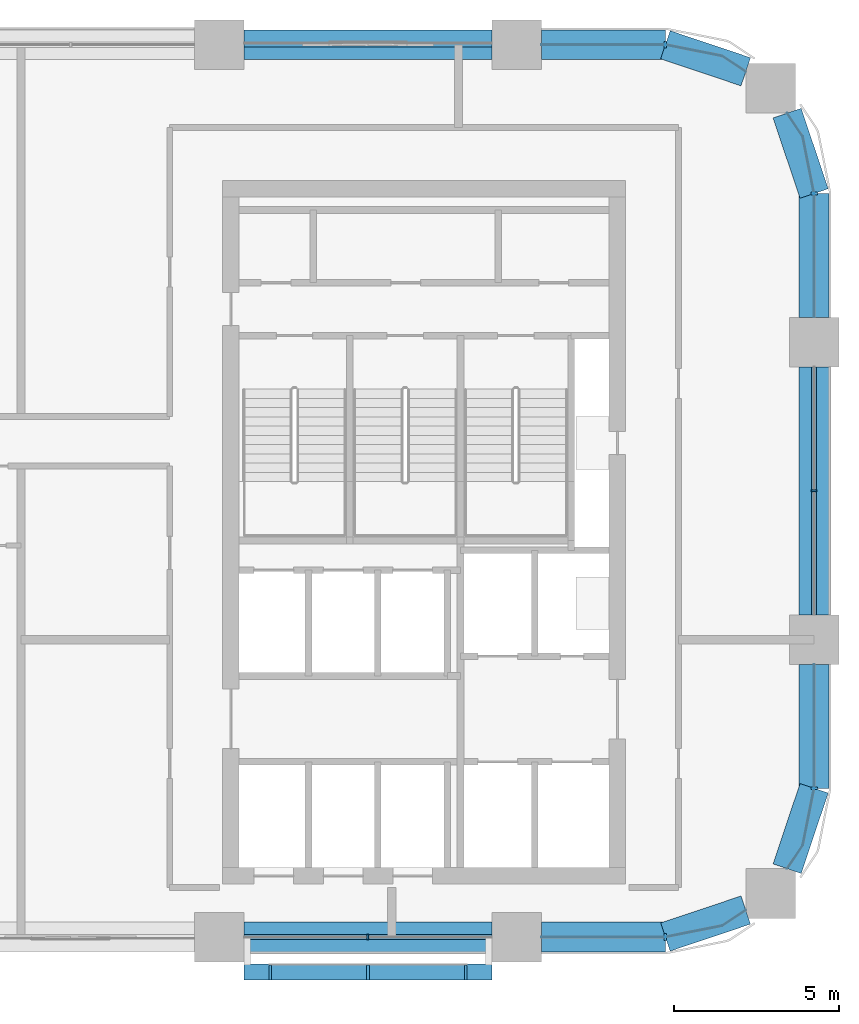
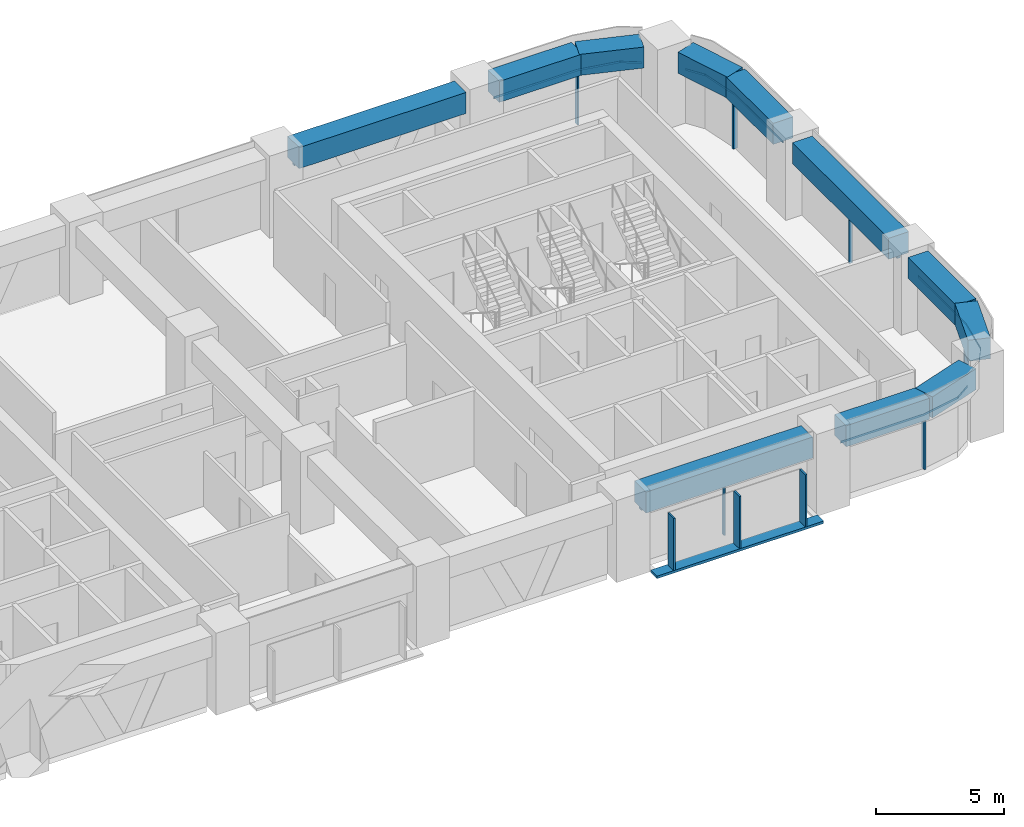
# One storey, part 5 of 13: 16 members, 12 beams, 7 elements without a shape of their own.
"""IFC4 building model written with IfcOpenShell, lengths in metres."""

from ifc_helpers import new_model, si_unit, direction, frame, origin, origin_2d, place, context, subcontext, project, spatial, polyline, rectangle, outline, extrude, material, material_profile, profile_set, type_object, element, aggregate, save


model = new_model("IFC4")

# Units and contexts
model_context = context("Model", 3, precision=1e-05, world=origin(), true_north=direction((0.0, 1.0)))
body_context = subcontext(model_context, "Body", "Model", "MODEL_VIEW")
ifc_project = project(units=[si_unit("LENGTHUNIT", "METRE"), si_unit("AREAUNIT", "SQUARE_METRE"), si_unit("VOLUMEUNIT", "CUBIC_METRE"), si_unit("PLANEANGLEUNIT", "RADIAN"), si_unit("MASSUNIT", "GRAM", prefix="KILO")], contexts=[model_context])

# Site, building, storey
site_placement = place(None, origin())
site = spatial("IfcSite", under=ifc_project, at=site_placement, CompositionType="ELEMENT")
building_placement = place(site_placement, origin())
building = spatial("IfcBuilding", under=site, at=building_placement, Name="Tessera Arch", CompositionType="ELEMENT")
storey_placement = place(building_placement, frame((0.0, 0.0, 158.300048828125)))
storey = spatial("IfcBuildingStorey", under=building, at=storey_placement, Name="L37", CompositionType="ELEMENT", Elevation=158.300048828125)

# Curtain wall, member
ifc_material_1 = material(Name="CW1 curtain wall")
curtain_wall_type_1 = type_object("IfcCurtainWallType", Name="CW1 curtain wall", PredefinedType="NOTDEFINED", material=ifc_material_1)
curtain_wall_1_placement = place(storey_placement, origin())
curtain_wall_1 = element("IfcCurtainWall", 1, at=curtain_wall_1_placement, inside=storey, type_object=curtain_wall_type_1, Name="CW1 curtain wall E54.27/0 L37", PredefinedType="NOTDEFINED")
ifc_material_2 = material(Name="Anodised aluminium pale metal", Category="aluminium")
ifc_material_profile_1 = material_profile(ifc_material_2, rectangle(XDim=0.159912109375, YDim=0.06005859375, at=origin_2d()), Name="AL 60x160")
ifc_profile_set_1 = profile_set([ifc_material_profile_1], Name="Anodised aluminium pale metal")
member_type_1 = type_object("IfcMemberType", Name="CW1 mullion", PredefinedType="MULLION", material=ifc_profile_set_1)
member_1_placement = place(storey_placement, frame((54.0, 40.5, 0.0), z_axis=(0.0, 0.0, 1.0), x_axis=(-1.0, 0.0, 0.0)))
member_1 = element("IfcMember", 2, at=member_1_placement, type_object=member_type_1, Name="CW1 mullion E54.27/0 1", PredefinedType="MULLION", context=body_context, shape_type="SweptSolid", body=[
    extrude(rectangle(XDim=0.159912109375, YDim=0.06005859375, at=origin_2d()), origin(), (0.0, 0.0, 1.0), 2.5),
])

curtain_wall_2_placement = place(storey_placement, origin())
curtain_wall_2 = element("IfcCurtainWall", 3, at=curtain_wall_2_placement, inside=storey, type_object=curtain_wall_type_1, Name="CW1 curtain wall S27.0/4 L37", PredefinedType="NOTDEFINED")
member_2_placement = place(storey_placement, frame((40.5, 27.0, 0.0), z_axis=(0.0, 0.0, 1.0), x_axis=(0.0, 1.0, 0.0)))
member_2 = element("IfcMember", 4, at=member_2_placement, type_object=member_type_1, Name="CW1 mullion S27.0/4 1", PredefinedType="MULLION", context=body_context, shape_type="SweptSolid", body=[
    extrude(rectangle(XDim=0.159912109375, YDim=0.06005859375, at=origin_2d()), origin(), (0.0, 0.0, 1.0), 2.5),
])

# Member
ifc_material_3 = material(Name="Anodised aluminium pale metal", Category="aluminium")
ifc_material_profile_2 = material_profile(ifc_material_3, rectangle(XDim=0.159912109375, YDim=0.10009765625, at=origin_2d()), Name="AL 160x100")
ifc_profile_set_2 = profile_set([ifc_material_profile_2], Name="Anodised aluminium pale metal")
member_type_2 = type_object("IfcMemberType", Name="CW1 transom", PredefinedType="USERDEFINED", material=ifc_profile_set_2)
member_3_placement = place(storey_placement, frame((54.0, 36.75, 2.550048828125), z_axis=(0.0, 1.0, 0.0), x_axis=(-1.0, 0.0, 0.0)))
member_3 = element("IfcMember", 5, at=member_3_placement, type_object=member_type_2, Name="CW1 transom E54.27/0 1.1", ObjectType="TRANSOM", PredefinedType="USERDEFINED", context=body_context, shape_type="SweptSolid", body=[
    extrude(rectangle(XDim=0.159912109375, YDim=0.10009765625, at=origin_2d()), origin(), (0.0, 0.0, 1.0), 7.5),
])

aggregate(curtain_wall_1, [member_1, member_3])

member_4_placement = place(storey_placement, frame((36.75, 27.0, 2.550048828125), z_axis=(1.0, 0.0, 0.0), x_axis=(0.0, 1.0, 0.0)))
member_4 = element("IfcMember", 6, at=member_4_placement, type_object=member_type_2, Name="CW1 transom S27.0/4 1.1", ObjectType="TRANSOM", PredefinedType="USERDEFINED", context=body_context, shape_type="SweptSolid", body=[
    extrude(rectangle(XDim=0.159912109375, YDim=0.10009765625, at=origin_2d()), origin(), (0.0, 0.0, 1.0), 7.5),
])

aggregate(curtain_wall_2, [member_2, member_4])

# Curtain wall, member
ifc_material_4 = material(Name="CW2 curtain wall")
curtain_wall_type_2 = type_object("IfcCurtainWallType", Name="CW2 curtain wall", PredefinedType="NOTDEFINED", material=ifc_material_4)
curtain_wall_3_placement = place(storey_placement, origin())
curtain_wall_3 = element("IfcCurtainWall", 7, at=curtain_wall_3_placement, inside=storey, type_object=curtain_wall_type_2, Name="CW2 curtain wall E54.27/1 L37", PredefinedType="NOTDEFINED")
ifc_material_5 = material(Name="Anodised aluminium pale metal", Category="aluminium")
ifc_material_profile_3 = material_profile(ifc_material_5, rectangle(XDim=0.199951171875, YDim=0.080078125, at=origin_2d()), Name="AL 80x200")
ifc_profile_set_3 = profile_set([ifc_material_profile_3], Name="Anodised aluminium pale metal")
member_type_3 = type_object("IfcMemberType", Name="CW2 mullion", PredefinedType="MULLION", material=ifc_profile_set_3)
member_5_placement = place(storey_placement, frame((54.0, 49.5, 0.0), z_axis=(0.0, 0.0, 1.0), x_axis=(-1.0, 0.0, 0.0)))
member_5 = element("IfcMember", 8, at=member_5_placement, type_object=member_type_3, Name="CW2 mullion E54.27/1 1", PredefinedType="MULLION", context=body_context, shape_type="SweptSolid", body=[
    extrude(rectangle(XDim=0.199951171875, YDim=0.080078125, at=origin_2d()), origin(), (0.0, 0.0, 1.0), 2.5),
])

curtain_wall_4_placement = place(storey_placement, origin())
curtain_wall_4 = element("IfcCurtainWall", 9, at=curtain_wall_4_placement, inside=storey, type_object=curtain_wall_type_2, Name="CW2 curtain wall N54.0/0 L37", PredefinedType="NOTDEFINED")
member_6_placement = place(storey_placement, frame((49.5, 54.0, 0.0), z_axis=(0.0, 0.0, 1.0), x_axis=(0.0, -1.0, 0.0)))
member_6 = element("IfcMember", 10, at=member_6_placement, type_object=member_type_3, Name="CW2 mullion N54.0/0 1", PredefinedType="MULLION", context=body_context, shape_type="SweptSolid", body=[
    extrude(rectangle(XDim=0.199951171875, YDim=0.080078125, at=origin_2d()), origin(), (0.0, 0.0, 1.0), 2.5),
])

curtain_wall_5_placement = place(storey_placement, origin())
curtain_wall_5 = element("IfcCurtainWall", 11, at=curtain_wall_5_placement, inside=storey, type_object=curtain_wall_type_2, Name="CW2 curtain wall S27.0/5 L37", PredefinedType="NOTDEFINED")
member_7_placement = place(storey_placement, frame((49.5, 27.0, 0.0), z_axis=(0.0, 0.0, 1.0), x_axis=(0.0, 1.0, 0.0)))
member_7 = element("IfcMember", 12, at=member_7_placement, type_object=member_type_3, Name="CW2 mullion S27.0/5 1", PredefinedType="MULLION", context=body_context, shape_type="SweptSolid", body=[
    extrude(rectangle(XDim=0.199951171875, YDim=0.080078125, at=origin_2d()), origin(), (0.0, 0.0, 1.0), 2.5),
])

curtain_wall_6_placement = place(storey_placement, origin())
curtain_wall_6 = element("IfcCurtainWall", 13, at=curtain_wall_6_placement, inside=storey, type_object=curtain_wall_type_2, Name="CW2 curtain wall E54.27/2 L37", PredefinedType="NOTDEFINED")
member_8_placement = place(storey_placement, frame((54.0, 31.5, 0.0), z_axis=(0.0, 0.0, 1.0), x_axis=(-1.0, 0.0, 0.0)))
member_8 = element("IfcMember", 14, at=member_8_placement, type_object=member_type_3, Name="CW2 mullion E54.27/2 1", PredefinedType="MULLION", context=body_context, shape_type="SweptSolid", body=[
    extrude(rectangle(XDim=0.199951171875, YDim=0.080078125, at=origin_2d()), origin(), (0.0, 0.0, 1.0), 2.5),
])

# Member
ifc_material_6 = material(Name="Anodised aluminium pale metal", Category="aluminium")
ifc_material_profile_4 = material_profile(ifc_material_6, rectangle(XDim=0.199951171875, YDim=0.10009765625, at=origin_2d()), Name="AL 200x100")
ifc_profile_set_4 = profile_set([ifc_material_profile_4], Name="Anodised aluminium pale metal")
member_type_4 = type_object("IfcMemberType", Name="CW2 transom", PredefinedType="USERDEFINED", material=ifc_profile_set_4)
member_9_placement = place(storey_placement, frame((0.0, 0.0, 2.5)))
member_9 = element("IfcMember", 15, at=member_9_placement, type_object=member_type_4, Name="CW2 transom E54.27/1 1", ObjectType="TRANSOM", PredefinedType="USERDEFINED", context=body_context, shape_type="SweptSolid", body=[
    extrude(outline(polyline([(53.989990234375, 49.4990234375), (53.989990234375, 45.75), (54.010009765625, 45.75), (54.010009765625, 49.5009765625), (53.6669921875, 51.22607421875), (53.19140625, 51.9375), (53.1748046875, 51.926513671875), (53.648193359375, 51.21826171875), (53.989990234375, 49.4990234375)])), origin(), (0.0, 0.0, 1.0), 0.099853515625),
])

aggregate(curtain_wall_3, [member_5, member_9])

member_10_placement = place(storey_placement, frame((0.0, 0.0, 2.5)))
member_10 = element("IfcMember", 16, at=member_10_placement, type_object=member_type_4, Name="CW2 transom N54.0/0 1", ObjectType="TRANSOM", PredefinedType="USERDEFINED", context=body_context, shape_type="SweptSolid", body=[
    extrude(outline(polyline([(51.21826171875, 53.648193359375), (51.926513671875, 53.1748046875), (51.9375, 53.19140625), (51.22607421875, 53.6669921875), (49.5009765625, 54.010009765625), (45.75, 54.010009765625), (45.75, 53.989990234375), (49.4990234375, 53.989990234375), (51.21826171875, 53.648193359375)])), origin(), (0.0, 0.0, 1.0), 0.099853515625),
])

aggregate(curtain_wall_4, [member_6, member_10])

member_11_placement = place(storey_placement, frame((0.0, 0.0, 2.5)))
member_11 = element("IfcMember", 17, at=member_11_placement, type_object=member_type_4, Name="CW2 transom S27.0/5 1", ObjectType="TRANSOM", PredefinedType="USERDEFINED", context=body_context, shape_type="SweptSolid", body=[
    extrude(outline(polyline([(49.4990234375, 27.010009765625), (45.75, 27.010009765625), (45.75, 26.989990234375), (49.5009765625, 26.989990234375), (51.22607421875, 27.3330078125), (51.9375, 27.80859375), (51.926513671875, 27.8251953125), (51.21826171875, 27.351806640625), (49.4990234375, 27.010009765625)])), origin(), (0.0, 0.0, 1.0), 0.099853515625),
])

aggregate(curtain_wall_5, [member_7, member_11])

member_12_placement = place(storey_placement, frame((0.0, 0.0, 2.5)))
member_12 = element("IfcMember", 18, at=member_12_placement, type_object=member_type_4, Name="CW2 transom E54.27/2 1", ObjectType="TRANSOM", PredefinedType="USERDEFINED", context=body_context, shape_type="SweptSolid", body=[
    extrude(outline(polyline([(53.648193359375, 29.78173828125), (53.1748046875, 29.073486328125), (53.19140625, 29.0625), (53.6669921875, 29.77392578125), (54.010009765625, 31.4990234375), (54.010009765625, 35.25), (53.989990234375, 35.25), (53.989990234375, 31.5009765625), (53.648193359375, 29.78173828125)])), origin(), (0.0, 0.0, 1.0), 0.099853515625),
])

aggregate(curtain_wall_6, [member_8, member_12])

# Curtain wall, member
ifc_material_7 = material(Name="CW3 curtain wall")
curtain_wall_type_3 = type_object("IfcCurtainWallType", Name="CW3 curtain wall", PredefinedType="NOTDEFINED", material=ifc_material_7)
curtain_wall_7_placement = place(storey_placement, origin())
curtain_wall_7 = element("IfcCurtainWall", 19, at=curtain_wall_7_placement, inside=storey, type_object=curtain_wall_type_3, Name="CW3 curtain wall N54.0/1 L37", PredefinedType="NOTDEFINED")
ifc_material_8 = material(Name="Anodised aluminium pale metal", Category="aluminium")
ifc_material_profile_5 = material_profile(ifc_material_8, rectangle(XDim=0.139892578125, YDim=0.10009765625, at=origin_2d()), Name="AL 140x100")
ifc_profile_set_5 = profile_set([ifc_material_profile_5], Name="Anodised aluminium pale metal")
member_type_5 = type_object("IfcMemberType", Name="CW3 transom", PredefinedType="USERDEFINED", material=ifc_profile_set_5)
member_13_placement = place(storey_placement, frame((44.25, 54.0, 2.550048828125), z_axis=(-1.0, 0.0, 0.0), x_axis=(0.0, -1.0, 0.0)))
member_13 = element("IfcMember", 20, at=member_13_placement, type_object=member_type_5, Name="CW3 transom N54.0/1 1.1", ObjectType="TRANSOM", PredefinedType="USERDEFINED", context=body_context, shape_type="SweptSolid", body=[
    extrude(rectangle(XDim=0.139892578125, YDim=0.10009765625, at=origin_2d()), origin(), (0.0, 0.0, 1.0), 7.5),
])
aggregate(curtain_wall_7, [member_13])

# Members
ifc_material_9 = material(Name="Anodised aluminium pale metal", Category="aluminium")
ifc_material_profile_6 = material_profile(ifc_material_9, rectangle(XDim=0.449951171875, YDim=0.080078125, at=origin_2d()), Name="AL 80x450")
ifc_profile_set_6 = profile_set([ifc_material_profile_6], Name="Anodised aluminium pale metal")
member_type_6 = type_object("IfcMemberType", Name="Mashrabiya fin", PredefinedType="USERDEFINED", material=ifc_profile_set_6)
for number, where, z_axis, x_axis, name in (
    (21, (37.5400390625, 25.925048828125, 0.119873046875), (0.0, 0.0, 1.0), (0.0, -1.0, 0.0), "FIN mashrabiya S27.0/4 1"),
    (22, (40.5, 25.925048828125, 0.119873046875), (0.0, 0.0, 1.0), (0.0, -1.0, 0.0), "FIN mashrabiya S27.0/4 2"),
    (23, (43.4599609375, 25.925048828125, 0.119873046875), (0.0, 0.0, 1.0), (0.0, -1.0, 0.0), "FIN mashrabiya S27.0/4 3"),
):
    element("IfcMember", number, at=place(storey_placement, frame(where, z_axis=z_axis, x_axis=x_axis)), inside=storey, type_object=member_type_6, Name=name, ObjectType="FIN", PredefinedType="USERDEFINED", context=body_context, shape_type="SweptSolid", body=[
        extrude(rectangle(XDim=0.449951171875, YDim=0.080078125, at=origin_2d()), origin(), (0.0, 0.0, 1.0), 2.47998046875),
    ])

# Beams
ifc_material_10 = material(Name="Concrete C70/85", Category="concrete")
ifc_material_profile_7 = material_profile(ifc_material_10, rectangle(XDim=0.89990234375, YDim=1.0, at=origin_2d()), Name="RC spandrel beam 900 x 1000 Concrete C70/85")
ifc_profile_set_7 = profile_set([ifc_material_profile_7], Name="Concrete C70/85")
beam_type_1 = type_object("IfcBeamType", Name="RC spandrel beam 900 x 1000 Concrete C70/85", PredefinedType="BEAM", material=ifc_profile_set_7)
beam_1_placement = place(storey_placement, frame((54.0, 36.75, 3.099853515625), z_axis=(0.0, 1.0, 0.0), x_axis=(-1.0, 0.0, 0.0)))
element("IfcBeam", 24, at=beam_1_placement, inside=storey, type_object=beam_type_1, Name="Spandrel beam L37 E54.27/0", PredefinedType="BEAM", context=body_context, shape_type="SweptSolid", body=[
    extrude(rectangle(XDim=0.89990234375, YDim=1.0, at=origin_2d()), origin(), (0.0, 0.0, 1.0), 7.5),
])
beam_2_placement = place(storey_placement, frame((54.0, 45.75, 3.099853515625), z_axis=(0.0, 1.0, 0.0), x_axis=(-1.0, 0.0, 0.0)))
element("IfcBeam", 25, at=beam_2_placement, inside=storey, type_object=beam_type_1, Name="Spandrel beam L37 E54.27/1.1", PredefinedType="BEAM", context=body_context, shape_type="SweptSolid", body=[
    extrude(rectangle(XDim=0.89990234375, YDim=1.0, at=origin_2d()), origin(), (0.0, 0.0, 1.0), 3.75),
])
for number, where, z_axis, x_axis, name in (
    (26, (54.0, 49.5, 3.099853515625), (-0.31842525032, 0.947947973234, 0.0), (-0.947947973234, -0.31842525032, 0.0), "Spandrel beam L37 E54.27/1.2"),
    (27, (51.931884765625, 53.18310546875, 3.099853515625), (-0.947947973234, 0.31842525032, 0.0), (-0.31842525032, -0.947947973234, 0.0), "Spandrel beam L37 N54.0/0.1"),
):
    element("IfcBeam", number, at=place(storey_placement, frame(where, z_axis=z_axis, x_axis=x_axis)), inside=storey, type_object=beam_type_1, Name=name, PredefinedType="BEAM", context=body_context, shape_type="SweptSolid", body=[
        extrude(rectangle(XDim=0.89990234375, YDim=1.0, at=origin_2d()), origin(), (0.0, 0.0, 1.0), 2.5654296875),
    ])
beam_3_placement = place(storey_placement, frame((49.5, 54.0, 3.099853515625), z_axis=(-1.0, 0.0, 0.0), x_axis=(0.0, -1.0, 0.0)))
element("IfcBeam", 28, at=beam_3_placement, inside=storey, type_object=beam_type_1, Name="Spandrel beam L37 N54.0/0.2", PredefinedType="BEAM", context=body_context, shape_type="SweptSolid", body=[
    extrude(rectangle(XDim=0.89990234375, YDim=1.0, at=origin_2d()), origin(), (0.0, 0.0, 1.0), 3.75),
])
for number, where, z_axis, x_axis, name in (
    (29, (44.25, 54.0, 3.099853515625), (-1.0, 0.0, 0.0), (0.0, -1.0, 0.0), "Spandrel beam L37 N54.0/1"),
    (30, (36.75, 27.0, 3.099853515625), (1.0, 0.0, 0.0), (0.0, 1.0, 0.0), "Spandrel beam L37 S27.0/4"),
):
    element("IfcBeam", number, at=place(storey_placement, frame(where, z_axis=z_axis, x_axis=x_axis)), inside=storey, type_object=beam_type_1, Name=name, PredefinedType="BEAM", context=body_context, shape_type="SweptSolid", body=[
        extrude(rectangle(XDim=0.89990234375, YDim=1.0, at=origin_2d()), origin(), (0.0, 0.0, 1.0), 7.5),
    ])
beam_4_placement = place(storey_placement, frame((45.75, 27.0, 3.099853515625), z_axis=(1.0, 0.0, 0.0), x_axis=(0.0, 1.0, 0.0)))
element("IfcBeam", 31, at=beam_4_placement, inside=storey, type_object=beam_type_1, Name="Spandrel beam L37 S27.0/5.1", PredefinedType="BEAM", context=body_context, shape_type="SweptSolid", body=[
    extrude(rectangle(XDim=0.89990234375, YDim=1.0, at=origin_2d()), origin(), (0.0, 0.0, 1.0), 3.75),
])
for number, where, z_axis, x_axis, name in (
    (32, (49.5, 27.0, 3.099853515625), (0.947947973234, 0.31842525032, 0.0), (-0.31842525032, 0.947947973234, 0.0), "Spandrel beam L37 S27.0/5.2"),
    (33, (53.18310546875, 29.068115234375, 3.099853515625), (0.31842525032, 0.947947973234, 0.0), (-0.947947973234, 0.31842525032, 0.0), "Spandrel beam L37 E54.27/2.1"),
):
    element("IfcBeam", number, at=place(storey_placement, frame(where, z_axis=z_axis, x_axis=x_axis)), inside=storey, type_object=beam_type_1, Name=name, PredefinedType="BEAM", context=body_context, shape_type="SweptSolid", body=[
        extrude(rectangle(XDim=0.89990234375, YDim=1.0, at=origin_2d()), origin(), (0.0, 0.0, 1.0), 2.5654296875),
    ])
beam_5_placement = place(storey_placement, frame((54.0, 31.5, 3.099853515625), z_axis=(0.0, 1.0, 0.0), x_axis=(-1.0, 0.0, 0.0)))
element("IfcBeam", 34, at=beam_5_placement, inside=storey, type_object=beam_type_1, Name="Spandrel beam L37 E54.27/2.2", PredefinedType="BEAM", context=body_context, shape_type="SweptSolid", body=[
    extrude(rectangle(XDim=0.89990234375, YDim=1.0, at=origin_2d()), origin(), (0.0, 0.0, 1.0), 3.75),
])
ifc_material_11 = material(Name="Aluminium alloy 6063-T6", Category="aluminium")
ifc_material_profile_8 = material_profile(ifc_material_11, rectangle(XDim=0.489990234375, YDim=0.1201171875, at=origin_2d()), Name="AL 490x120")
ifc_profile_set_8 = profile_set([ifc_material_profile_8], Name="Aluminium alloy 6063-T6")
beam_type_2 = type_object("IfcBeamType", Name="Screen sill beam", PredefinedType="BEAM", material=ifc_profile_set_8)
beam_6_placement = place(storey_placement, frame((36.75, 25.945068359375, 0.06005859375), z_axis=(1.0, 0.0, 0.0), x_axis=(0.0, 1.0, 0.0)))
element("IfcBeam", 35, at=beam_6_placement, inside=storey, type_object=beam_type_2, Name="Screen sill beam", PredefinedType="BEAM", context=body_context, shape_type="SweptSolid", body=[
    extrude(rectangle(XDim=0.489990234375, YDim=0.1201171875, at=origin_2d()), origin(), (0.0, 0.0, 1.0), 7.5),
])

save(model, "model.ifc")
